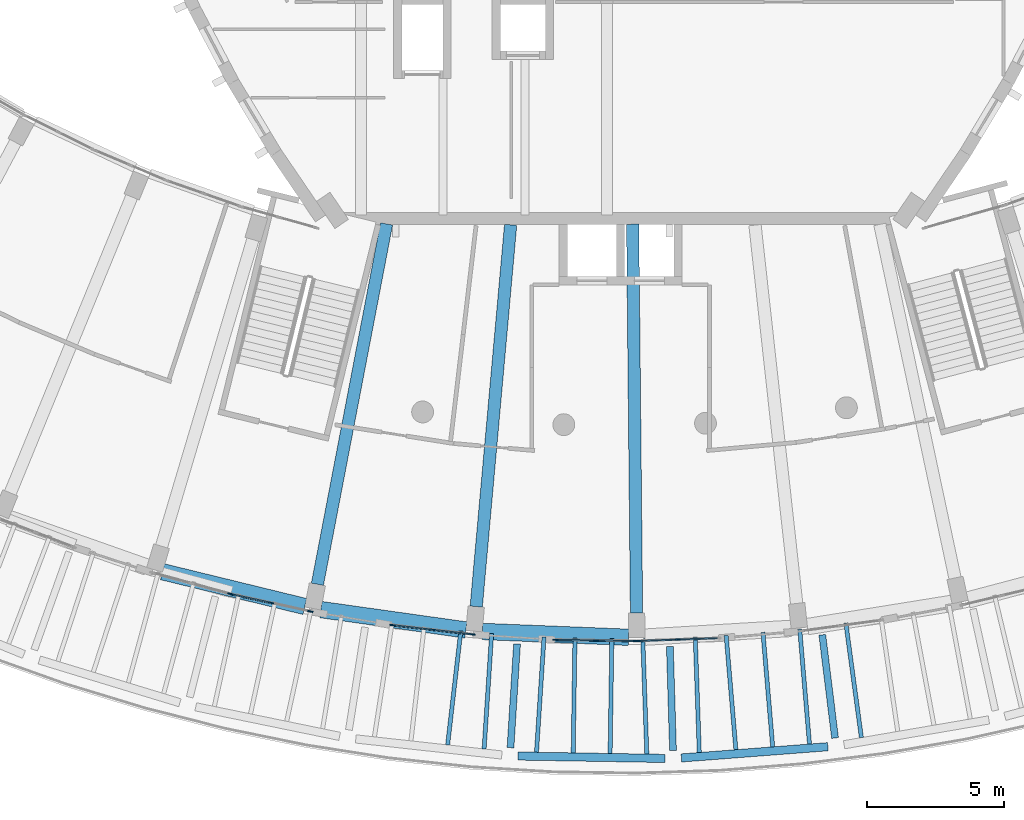
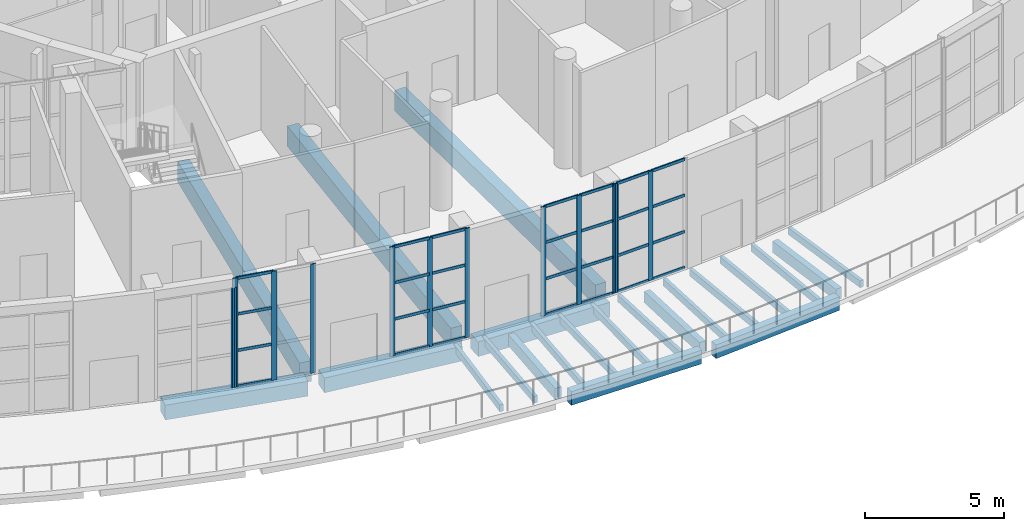
# One storey, part 18 of 93: 40 members, 22 beams, 5 elements without a shape of their own.
"""IFC4 building model written with IfcOpenShell, lengths in metres."""

import ifcopenshell
import ifcopenshell.guid

model = None  # the IFC model being written
_history = None  # IfcOwnerHistory: only IFC2X3 demands one
_inside = {}  # id of a spatial element -> (the spatial element, [elements in it])
_under = {}  # id of a project, library or spatial element -> (it, [spatial elements below it])
_declared = {}  # id of a project -> (the project, [libraries it declares])
_typed = {}  # id of a type object -> (the type object, [elements of that type])
_made_of = {}  # id of a material, layer set ... -> (it, [elements and type objects made of it])


def new_model(schema):
    """Start an empty IFC model of exactly this schema.

    Asked for "IFC4X3", IfcOpenShell would pick the latest addendum, in which some entities
    have other attributes; the version numbers below select the first issue.
    IFC2X3 requires an IfcOwnerHistory on every rooted entity: one is made here for all.
    """
    global model, _history
    if schema == "IFC4X3":
        model = ifcopenshell.file(schema_version=(4, 3, 0, 0))
    else:
        model = ifcopenshell.file(schema=schema)
    _inside.clear()
    _under.clear()
    _declared.clear()
    _typed.clear()
    _made_of.clear()
    _history = None
    if model.schema == "IFC2X3":
        org = make("IfcOrganization", Name="unknown")
        user = make(
            "IfcPersonAndOrganization",
            ThePerson=make("IfcPerson", FamilyName="unknown"),
            TheOrganization=org,
        )
        app = make(
            "IfcApplication",
            ApplicationDeveloper=org,
            Version="unknown",
            ApplicationFullName="unknown",
            ApplicationIdentifier="unknown",
        )
        _history = make(
            "IfcOwnerHistory",
            OwningUser=user,
            OwningApplication=app,
            ChangeAction="ADDED",
            CreationDate=0,
        )
    return model


def make(cls, **values):
    """One entity of the class cls with the attributes given. An attribute that is None is left unset."""
    return model.create_entity(
        cls, **{name: value for name, value in values.items() if value is not None}
    )


def rooted(cls, **values):
    """An entity with a GlobalId (a new one), such as an element, a storey or a relation."""
    return make(cls, GlobalId=ifcopenshell.guid.new(), OwnerHistory=_history, **values)


def si_unit(unit_type, name, prefix=None):
    """IfcSIUnit, for example si_unit("LENGTHUNIT", "METRE", prefix="MILLI")."""
    return make("IfcSIUnit", UnitType=unit_type, Prefix=prefix, Name=name)


def assignment(units):
    """IfcUnitAssignment: the units of a project."""
    return None if units is None else make("IfcUnitAssignment", Units=units)


def point(xyz):
    """IfcCartesianPoint."""
    return None if xyz is None else make("IfcCartesianPoint", Coordinates=xyz)


def direction(xyz):
    """IfcDirection."""
    return None if xyz is None else make("IfcDirection", DirectionRatios=xyz)


def frame(location, z_axis=None, x_axis=None):
    """IfcAxis2Placement3D, a coordinate frame: its origin and axes. An axis left out is left unset."""
    return make(
        "IfcAxis2Placement3D",
        Location=point(location),
        Axis=direction(z_axis),
        RefDirection=direction(x_axis),
    )


def frame_2d(location, x_axis=None):
    """IfcAxis2Placement2D, a coordinate frame in the plane: its origin and x axis."""
    return make(
        "IfcAxis2Placement2D", Location=point(location), RefDirection=direction(x_axis)
    )


def origin():
    """The frame at (0, 0, 0) with its axes left unset."""
    return frame((0.0, 0.0, 0.0))


def origin_2d():
    """The frame at (0, 0) in the plane with its x axis left unset."""
    return frame_2d((0.0, 0.0))


def place(relative_to, where):
    """IfcLocalPlacement: puts the frame where relative to a parent placement (None: the world)."""
    return make(
        "IfcLocalPlacement", PlacementRelTo=relative_to, RelativePlacement=where
    )


def context(
    kind, dimensions, precision=None, world=None, true_north=None, identifier=None
):
    """IfcGeometricRepresentationContext, for example the 3D "Model" context."""
    return make(
        "IfcGeometricRepresentationContext",
        ContextIdentifier=identifier,
        ContextType=kind,
        CoordinateSpaceDimension=dimensions,
        Precision=precision,
        WorldCoordinateSystem=world,
        TrueNorth=true_north,
    )


def subcontext(parent, identifier, kind, view, scale=None):
    """IfcGeometricRepresentationSubContext, for example "Body" below "Model"."""
    return make(
        "IfcGeometricRepresentationSubContext",
        ContextIdentifier=identifier,
        ContextType=kind,
        ParentContext=parent,
        TargetScale=scale,
        TargetView=view,
    )


def project(units=None, contexts=None):
    """IfcProject with its units and contexts."""
    return rooted(
        "IfcProject",
        Name="project",
        RepresentationContexts=contexts,
        UnitsInContext=assignment(units),
    )


def spatial(cls, under=None, at=None, **own):
    """A site, building, storey or space (cls), placed at a placement, below another one or the project."""
    s = rooted(cls, ObjectPlacement=at, **own)
    if under is not None:
        _under.setdefault(under.id(), (under, []))[1].append(s)
    return s


def profile(cls, at=None, kind="AREA", **sizes):
    """A parametric profile (cls). Its sizes go by their IFC names, for example OverallWidth=200.0."""
    return make(cls, ProfileType=kind, Position=at, **sizes)


def rectangle(**sizes):
    """IfcRectangleProfileDef."""
    return profile("IfcRectangleProfileDef", **sizes)


def extrude(swept, where, along, depth):
    """IfcExtrudedAreaSolid: the profile swept, set in the frame where, extruded along a direction by depth."""
    return make(
        "IfcExtrudedAreaSolid",
        SweptArea=swept,
        Position=where,
        ExtrudedDirection=direction(along),
        Depth=depth,
    )


def shape(context_of_items, identifier, shape_type, items):
    """IfcShapeRepresentation: the items that make up one representation, for example the "Body"."""
    return make(
        "IfcShapeRepresentation",
        ContextOfItems=context_of_items,
        RepresentationIdentifier=identifier,
        RepresentationType=shape_type,
        Items=items,
    )


def material(Name=None, Category=None):
    """IfcMaterial."""
    return make("IfcMaterial", Name=Name, Category=Category)


def material_profile(
    of_material, cross_section, Name=None, Category=None, Priority=None
):
    """IfcMaterialProfile: a cross section and its material."""
    return make(
        "IfcMaterialProfile",
        Name=Name,
        Material=of_material,
        Profile=cross_section,
        Priority=Priority,
        Category=Category,
    )


def profile_set(profiles, Name=None, composite=None):
    """IfcMaterialProfileSet."""
    return make(
        "IfcMaterialProfileSet",
        Name=Name,
        MaterialProfiles=profiles,
        CompositeProfile=composite,
    )


def made_of(thing, what):
    """Note that an element or type object is made of a material, layer set ...; save() writes the relation."""
    if what is not None:
        _made_of.setdefault(what.id(), (what, []))[1].append(thing)
    return thing


def type_object(cls, material=None, **own):
    """A type object (cls), such as IfcWallType, which elements share."""
    return made_of(rooted(cls, **own), material)


def element(
    cls,
    number,
    at=None,
    inside=None,
    cuts=None,
    type_object=None,
    material=None,
    context=None,
    identifier="Body",
    shape_type=None,
    held_by="IfcProductDefinitionShape",
    body=None,
    shapes=None,
    **own,
):
    """One element of the class cls, such as IfcWall. Its Tag is "e" and its number.

    at: its placement. inside: the storey or other place that contains it. cuts: it is an
    opening in that element (IfcRelVoidsElement). A single representation is given by context,
    identifier, shape_type and body (its items); several are given by shapes. held_by: the class
    of the entity that holds the representations. save() writes the other relations.
    """
    e = rooted(cls, Tag="e%d" % number, ObjectPlacement=at, **own)
    if body is not None:
        shapes = [shape(context, identifier, shape_type, body)]
    if shapes is not None:
        e.Representation = make(held_by, Representations=shapes)
    if inside is not None:
        _inside.setdefault(inside.id(), (inside, []))[1].append(e)
    if cuts is not None:
        rooted(
            "IfcRelVoidsElement", RelatingBuildingElement=cuts, RelatedOpeningElement=e
        )
    if type_object is not None:
        _typed.setdefault(type_object.id(), (type_object, []))[1].append(e)
    return made_of(e, material)


def aggregate(whole, parts):
    """IfcRelAggregates: a whole, such as a stair, and the parts it consists of."""
    return rooted("IfcRelAggregates", RelatingObject=whole, RelatedObjects=parts)


def save(model, path):
    """Write the relations noted so far, then the file.

    IfcRelAggregates (storeys below a building ...), IfcRelContainedInSpatialStructure (elements
    in a storey), IfcRelDefinesByType, IfcRelAssociatesMaterial and IfcRelDeclares: one each for
    every whole, place, type object, material and project.
    """
    for whole, parts in _under.values():
        aggregate(whole, parts)
    for where, things in _inside.values():
        rooted(
            "IfcRelContainedInSpatialStructure",
            RelatedElements=things,
            RelatingStructure=where,
        )
    for kind, things in _typed.values():
        rooted("IfcRelDefinesByType", RelatedObjects=things, RelatingType=kind)
    for what, things in _made_of.values():
        rooted("IfcRelAssociatesMaterial", RelatedObjects=things, RelatingMaterial=what)
    for by, libraries in _declared.values():
        rooted("IfcRelDeclares", RelatingContext=by, RelatedDefinitions=libraries)
    model.write(path)


model = new_model("IFC4")

# Units and contexts
model_context = context("Model", 3, precision=1e-05, world=origin(), true_north=direction((0.0, 1.0)))
body_context = subcontext(model_context, "Body", "Model", "MODEL_VIEW")
ifc_project = project(units=[si_unit("LENGTHUNIT", "METRE"), si_unit("AREAUNIT", "SQUARE_METRE"), si_unit("VOLUMEUNIT", "CUBIC_METRE"), si_unit("PLANEANGLEUNIT", "RADIAN"), si_unit("MASSUNIT", "GRAM", prefix="KILO")], contexts=[model_context])

# Site, building, storey
site_placement = place(None, origin())
site = spatial("IfcSite", under=ifc_project, at=site_placement, CompositionType="ELEMENT")
building_placement = place(site_placement, origin())
building = spatial("IfcBuilding", under=site, at=building_placement, Name="Tide Square Theatres", CompositionType="ELEMENT")
storey_placement = place(building_placement, frame((0.0, 0.0, 5.39990234375)))
storey = spatial("IfcBuildingStorey", under=building, at=storey_placement, Name="L01", CompositionType="ELEMENT", Elevation=5.39990234375)

# Curtain wall, member
ifc_material_1 = material(Name="Aluminium 6063-T5", Category="aluminium")
curtain_wall_type_1 = type_object("IfcCurtainWallType", Name="Unitised system curtain wall 4600 high", PredefinedType="USERDEFINED", material=ifc_material_1)
curtain_wall_1_placement = place(storey_placement, origin())
curtain_wall_1 = element("IfcCurtainWall", 1, at=curtain_wall_1_placement, inside=storey, type_object=curtain_wall_type_1, Name="Foyer outer curtain wall", ObjectType="UNITISED SYSTEM", PredefinedType="USERDEFINED")
ifc_material_2 = material(Name="Aluminium 6063-T5", Category="aluminium")
ifc_material_profile_1 = material_profile(ifc_material_2, rectangle(XDim=0.050048828125, YDim=0.199951171875, at=origin_2d()))
ifc_profile_set_1 = profile_set([ifc_material_profile_1], Name="Aluminium 6063-T5")
member_type_1 = type_object("IfcMemberType", Name="Aluminium mullion 50 x 200", PredefinedType="MULLION", material=ifc_profile_set_1)
member_1_placement = place(storey_placement, frame((69.724365234375, 9.8525390625, 0.0), z_axis=(0.0, 0.0, 1.0), x_axis=(0.262213530715, 0.96500987783, 0.0)))
member_1 = element("IfcMember", 2, at=member_1_placement, type_object=member_type_1, Name="CW-03 mullion 3", PredefinedType="MULLION", context=body_context, shape_type="SweptSolid", body=[
    extrude(rectangle(XDim=0.050048828125, YDim=0.199951171875, at=origin_2d()), origin(), (0.0, 0.0, 1.0), 4.400146484375),
])
aggregate(curtain_wall_1, [member_1])

# Curtain wall, members
ifc_material_3 = material(Name="Aluminium 6063-T5", Category="aluminium")
curtain_wall_type_2 = type_object("IfcCurtainWallType", Name="Unitised system curtain wall 4800 high", PredefinedType="USERDEFINED", material=ifc_material_3)
curtain_wall_2_placement = place(storey_placement, origin())
curtain_wall_2 = element("IfcCurtainWall", 3, at=curtain_wall_2_placement, inside=storey, type_object=curtain_wall_type_2, Name="Foyer outer curtain wall", ObjectType="UNITISED SYSTEM", PredefinedType="USERDEFINED")
member_2_placement = place(storey_placement, frame((69.77294921875, 9.840576171875, 0.0), z_axis=(0.0, 0.0, 1.0), x_axis=(0.213653079584, 0.976909597447, 0.0)))
member_2 = element("IfcMember", 4, at=member_2_placement, type_object=member_type_1, Name="CW-02 mullion 1", PredefinedType="MULLION", context=body_context, shape_type="SweptSolid", body=[
    extrude(rectangle(XDim=0.050048828125, YDim=0.199951171875, at=origin_2d()), origin(), (0.0, 0.0, 1.0), 4.800048828125),
])
member_3_placement = place(storey_placement, frame((71.2119140625, 9.52587890625, 0.0), z_axis=(0.0, 0.0, 1.0), x_axis=(0.213653079584, 0.976909597447, 0.0)))
member_3 = element("IfcMember", 5, at=member_3_placement, type_object=member_type_1, Name="CW-02 mullion 2", PredefinedType="MULLION", context=body_context, shape_type="SweptSolid", body=[
    extrude(rectangle(XDim=0.050048828125, YDim=0.199951171875, at=origin_2d()), origin(), (0.0, 0.0, 1.0), 4.800048828125),
])
member_4_placement = place(storey_placement, frame((72.65087890625, 9.211181640625, 0.0), z_axis=(0.0, 0.0, 1.0), x_axis=(0.213653079584, 0.976909597447, 0.0)))
member_4 = element("IfcMember", 6, at=member_4_placement, type_object=member_type_1, Name="CW-02 mullion 3", PredefinedType="MULLION", context=body_context, shape_type="SweptSolid", body=[
    extrude(rectangle(XDim=0.050048828125, YDim=0.199951171875, at=origin_2d()), origin(), (0.0, 0.0, 1.0), 4.800048828125),
])

curtain_wall_3_placement = place(storey_placement, origin())
curtain_wall_3 = element("IfcCurtainWall", 7, at=curtain_wall_3_placement, inside=storey, type_object=curtain_wall_type_2, Name="Foyer outer curtain wall", ObjectType="UNITISED SYSTEM", PredefinedType="USERDEFINED")
member_5_placement = place(storey_placement, frame((75.6552734375, 8.7099609375, 0.0), z_axis=(0.0, 0.0, 1.0), x_axis=(0.114954765797, 0.993370727282, 0.0)))
member_5 = element("IfcMember", 8, at=member_5_placement, type_object=member_type_1, Name="CW-02 mullion 1", PredefinedType="MULLION", context=body_context, shape_type="SweptSolid", body=[
    extrude(rectangle(XDim=0.050048828125, YDim=0.199951171875, at=origin_2d()), origin(), (0.0, 0.0, 1.0), 4.800048828125),
])
member_6_placement = place(storey_placement, frame((77.118408203125, 8.540771484375, 0.0), z_axis=(0.0, 0.0, 1.0), x_axis=(0.114954765797, 0.993370727282, 0.0)))
member_6 = element("IfcMember", 9, at=member_6_placement, type_object=member_type_1, Name="CW-02 mullion 2", PredefinedType="MULLION", context=body_context, shape_type="SweptSolid", body=[
    extrude(rectangle(XDim=0.050048828125, YDim=0.199951171875, at=origin_2d()), origin(), (0.0, 0.0, 1.0), 4.800048828125),
])
member_7_placement = place(storey_placement, frame((78.581787109375, 8.371337890625, 0.0), z_axis=(0.0, 0.0, 1.0), x_axis=(0.114954765797, 0.993370727282, 0.0)))
member_7 = element("IfcMember", 10, at=member_7_placement, type_object=member_type_1, Name="CW-02 mullion 3", PredefinedType="MULLION", context=body_context, shape_type="SweptSolid", body=[
    extrude(rectangle(XDim=0.050048828125, YDim=0.199951171875, at=origin_2d()), origin(), (0.0, 0.0, 1.0), 4.800048828125),
])

curtain_wall_4_placement = place(storey_placement, origin())
curtain_wall_4 = element("IfcCurtainWall", 11, at=curtain_wall_4_placement, inside=storey, type_object=curtain_wall_type_2, Name="Foyer outer curtain wall", ObjectType="UNITISED SYSTEM", PredefinedType="USERDEFINED")
member_8_placement = place(storey_placement, frame((81.62109375, 8.1728515625, 0.0), z_axis=(0.0, 0.0, 1.0), x_axis=(0.015120450414, 0.999885679455, 0.0)))
member_8 = element("IfcMember", 12, at=member_8_placement, type_object=member_type_1, Name="CW-02 mullion 1", PredefinedType="MULLION", context=body_context, shape_type="SweptSolid", body=[
    extrude(rectangle(XDim=0.050048828125, YDim=0.199951171875, at=origin_2d()), origin(), (0.0, 0.0, 1.0), 4.800048828125),
])
member_9_placement = place(storey_placement, frame((83.093994140625, 8.150634765625, 0.0), z_axis=(0.0, 0.0, 1.0), x_axis=(0.015120450414, 0.999885679455, 0.0)))
member_9 = element("IfcMember", 13, at=member_9_placement, type_object=member_type_1, Name="CW-02 mullion 2", PredefinedType="MULLION", context=body_context, shape_type="SweptSolid", body=[
    extrude(rectangle(XDim=0.050048828125, YDim=0.199951171875, at=origin_2d()), origin(), (0.0, 0.0, 1.0), 4.800048828125),
])
member_10_placement = place(storey_placement, frame((84.56689453125, 8.12841796875, 0.0), z_axis=(0.0, 0.0, 1.0), x_axis=(0.015120450414, 0.999885679455, 0.0)))
member_10 = element("IfcMember", 14, at=member_10_placement, type_object=member_type_1, Name="CW-02 mullion 3", PredefinedType="MULLION", context=body_context, shape_type="SweptSolid", body=[
    extrude(rectangle(XDim=0.050048828125, YDim=0.199951171875, at=origin_2d()), origin(), (0.0, 0.0, 1.0), 4.800048828125),
])

curtain_wall_5_placement = place(storey_placement, origin())
curtain_wall_5 = element("IfcCurtainWall", 15, at=curtain_wall_5_placement, inside=storey, type_object=curtain_wall_type_2, Name="Foyer outer curtain wall", ObjectType="UNITISED SYSTEM", PredefinedType="USERDEFINED")
member_11_placement = place(storey_placement, frame((84.61669921875, 8.12890625, 0.0), z_axis=(0.0, 0.0, 1.0), x_axis=(-0.034879571875, 0.999391522611, 0.0)))
member_11 = element("IfcMember", 16, at=member_11_placement, type_object=member_type_1, Name="CW-02 mullion 1", PredefinedType="MULLION", context=body_context, shape_type="SweptSolid", body=[
    extrude(rectangle(XDim=0.050048828125, YDim=0.199951171875, at=origin_2d()), origin(), (0.0, 0.0, 1.0), 4.800048828125),
])
member_12_placement = place(storey_placement, frame((86.0888671875, 8.18017578125, 0.0), z_axis=(0.0, 0.0, 1.0), x_axis=(-0.034879571875, 0.999391522611, 0.0)))
member_12 = element("IfcMember", 17, at=member_12_placement, type_object=member_type_1, Name="CW-02 mullion 2", PredefinedType="MULLION", context=body_context, shape_type="SweptSolid", body=[
    extrude(rectangle(XDim=0.050048828125, YDim=0.199951171875, at=origin_2d()), origin(), (0.0, 0.0, 1.0), 4.800048828125),
])

# Member
ifc_material_4 = material(Name="Aluminium 6063-T5", Category="aluminium")
ifc_material_profile_2 = material_profile(ifc_material_4, rectangle(XDim=0.050048828125, YDim=0.125, at=origin_2d()))
ifc_profile_set_2 = profile_set([ifc_material_profile_2], Name="Aluminium 6063-T5")
member_type_2 = type_object("IfcMemberType", Name="Aluminium transom 50 x 125", PredefinedType="USERDEFINED", material=ifc_profile_set_2)
member_13_placement = place(storey_placement, frame((69.79736328125, 9.835205078125, 0.025146484375), z_axis=(0.97692016015, -0.21360477685, 0.0), x_axis=(0.21360477685, 0.97692016015, 0.0)))
member_13 = element("IfcMember", 18, at=member_13_placement, type_object=member_type_2, Name="CW-02 transom 1.1", ObjectType="TRANSOM", PredefinedType="USERDEFINED", context=body_context, shape_type="SweptSolid", body=[
    extrude(rectangle(XDim=0.050048828125, YDim=0.125, at=origin_2d()), origin(), (0.0, 0.0, 1.0), 1.423095703125),
])

member_14_placement = place(storey_placement, frame((69.79736328125, 9.835205078125, 1.60009765625), z_axis=(0.97692016015, -0.21360477685, 0.0), x_axis=(0.21360477685, 0.97692016015, 0.0)))
member_14 = element("IfcMember", 19, at=member_14_placement, type_object=member_type_2, Name="CW-02 transom 1.2", ObjectType="TRANSOM", PredefinedType="USERDEFINED", context=body_context, shape_type="SweptSolid", body=[
    extrude(rectangle(XDim=0.050048828125, YDim=0.125, at=origin_2d()), origin(), (0.0, 0.0, 1.0), 1.423095703125),
])

member_15_placement = place(storey_placement, frame((69.79736328125, 9.835205078125, 3.2001953125), z_axis=(0.97692016015, -0.21360477685, 0.0), x_axis=(0.21360477685, 0.97692016015, 0.0)))
member_15 = element("IfcMember", 20, at=member_15_placement, type_object=member_type_2, Name="CW-02 transom 1.3", ObjectType="TRANSOM", PredefinedType="USERDEFINED", context=body_context, shape_type="SweptSolid", body=[
    extrude(rectangle(XDim=0.050048828125, YDim=0.125, at=origin_2d()), origin(), (0.0, 0.0, 1.0), 1.423095703125),
])

member_16_placement = place(storey_placement, frame((69.79736328125, 9.835205078125, 4.775146484375), z_axis=(0.97692016015, -0.21360477685, 0.0), x_axis=(0.21360477685, 0.97692016015, 0.0)))
member_16 = element("IfcMember", 21, at=member_16_placement, type_object=member_type_2, Name="CW-02 transom 1.4", ObjectType="TRANSOM", PredefinedType="USERDEFINED", context=body_context, shape_type="SweptSolid", body=[
    extrude(rectangle(XDim=0.050048828125, YDim=0.125, at=origin_2d()), origin(), (0.0, 0.0, 1.0), 1.423095703125),
])

aggregate(curtain_wall_2, [member_2, member_3, member_4, member_13, member_14, member_15, member_16])

member_17_placement = place(storey_placement, frame((75.68017578125, 8.70703125, 0.025146484375), z_axis=(0.993369045591, -0.114969297037, 0.0), x_axis=(0.114969297037, 0.993369045591, 0.0)))
member_17 = element("IfcMember", 22, at=member_17_placement, type_object=member_type_2, Name="CW-02 transom 1.1", ObjectType="TRANSOM", PredefinedType="USERDEFINED", context=body_context, shape_type="SweptSolid", body=[
    extrude(rectangle(XDim=0.050048828125, YDim=0.125, at=origin_2d()), origin(), (0.0, 0.0, 1.0), 1.4228515625),
])

member_18_placement = place(storey_placement, frame((75.68017578125, 8.70703125, 1.60009765625), z_axis=(0.993369045591, -0.114969297037, 0.0), x_axis=(0.114969297037, 0.993369045591, 0.0)))
member_18 = element("IfcMember", 23, at=member_18_placement, type_object=member_type_2, Name="CW-02 transom 1.2", ObjectType="TRANSOM", PredefinedType="USERDEFINED", context=body_context, shape_type="SweptSolid", body=[
    extrude(rectangle(XDim=0.050048828125, YDim=0.125, at=origin_2d()), origin(), (0.0, 0.0, 1.0), 1.4228515625),
])

member_19_placement = place(storey_placement, frame((75.68017578125, 8.70703125, 3.2001953125), z_axis=(0.993369045591, -0.114969297037, 0.0), x_axis=(0.114969297037, 0.993369045591, 0.0)))
member_19 = element("IfcMember", 24, at=member_19_placement, type_object=member_type_2, Name="CW-02 transom 1.3", ObjectType="TRANSOM", PredefinedType="USERDEFINED", context=body_context, shape_type="SweptSolid", body=[
    extrude(rectangle(XDim=0.050048828125, YDim=0.125, at=origin_2d()), origin(), (0.0, 0.0, 1.0), 1.4228515625),
])

member_20_placement = place(storey_placement, frame((75.68017578125, 8.70703125, 4.775146484375), z_axis=(0.993369045591, -0.114969297037, 0.0), x_axis=(0.114969297037, 0.993369045591, 0.0)))
member_20 = element("IfcMember", 25, at=member_20_placement, type_object=member_type_2, Name="CW-02 transom 1.4", ObjectType="TRANSOM", PredefinedType="USERDEFINED", context=body_context, shape_type="SweptSolid", body=[
    extrude(rectangle(XDim=0.050048828125, YDim=0.125, at=origin_2d()), origin(), (0.0, 0.0, 1.0), 1.4228515625),
])

member_21_placement = place(storey_placement, frame((77.143310546875, 8.537841796875, 0.025146484375), z_axis=(0.993371313156, -0.114949702904, 0.0), x_axis=(0.114949702904, 0.993371313156, 0.0)))
member_21 = element("IfcMember", 26, at=member_21_placement, type_object=member_type_2, Name="CW-02 transom 2.1", ObjectType="TRANSOM", PredefinedType="USERDEFINED", context=body_context, shape_type="SweptSolid", body=[
    extrude(rectangle(XDim=0.050048828125, YDim=0.125, at=origin_2d()), origin(), (0.0, 0.0, 1.0), 1.423095703125),
])

member_22_placement = place(storey_placement, frame((77.143310546875, 8.537841796875, 1.60009765625), z_axis=(0.993371313156, -0.114949702904, 0.0), x_axis=(0.114949702904, 0.993371313156, 0.0)))
member_22 = element("IfcMember", 27, at=member_22_placement, type_object=member_type_2, Name="CW-02 transom 2.2", ObjectType="TRANSOM", PredefinedType="USERDEFINED", context=body_context, shape_type="SweptSolid", body=[
    extrude(rectangle(XDim=0.050048828125, YDim=0.125, at=origin_2d()), origin(), (0.0, 0.0, 1.0), 1.423095703125),
])

member_23_placement = place(storey_placement, frame((77.143310546875, 8.537841796875, 3.2001953125), z_axis=(0.993371313156, -0.114949702904, 0.0), x_axis=(0.114949702904, 0.993371313156, 0.0)))
member_23 = element("IfcMember", 28, at=member_23_placement, type_object=member_type_2, Name="CW-02 transom 2.3", ObjectType="TRANSOM", PredefinedType="USERDEFINED", context=body_context, shape_type="SweptSolid", body=[
    extrude(rectangle(XDim=0.050048828125, YDim=0.125, at=origin_2d()), origin(), (0.0, 0.0, 1.0), 1.423095703125),
])

member_24_placement = place(storey_placement, frame((77.143310546875, 8.537841796875, 4.775146484375), z_axis=(0.993371313156, -0.114949702904, 0.0), x_axis=(0.114949702904, 0.993371313156, 0.0)))
member_24 = element("IfcMember", 29, at=member_24_placement, type_object=member_type_2, Name="CW-02 transom 2.4", ObjectType="TRANSOM", PredefinedType="USERDEFINED", context=body_context, shape_type="SweptSolid", body=[
    extrude(rectangle(XDim=0.050048828125, YDim=0.125, at=origin_2d()), origin(), (0.0, 0.0, 1.0), 1.423095703125),
])

aggregate(curtain_wall_3, [member_5, member_6, member_7, member_17, member_18, member_19, member_20, member_21, member_22, member_23, member_24])

member_25_placement = place(storey_placement, frame((81.646240234375, 8.172607421875, 0.025146484375), z_axis=(0.999886021744, -0.015097798544, 0.0), x_axis=(0.015097798544, 0.999886021744, 0.0)))
member_25 = element("IfcMember", 30, at=member_25_placement, type_object=member_type_2, Name="CW-02 transom 1.1", ObjectType="TRANSOM", PredefinedType="USERDEFINED", context=body_context, shape_type="SweptSolid", body=[
    extrude(rectangle(XDim=0.050048828125, YDim=0.125, at=origin_2d()), origin(), (0.0, 0.0, 1.0), 1.423095703125),
])

member_26_placement = place(storey_placement, frame((81.646240234375, 8.172607421875, 1.60009765625), z_axis=(0.999886021744, -0.015097798544, 0.0), x_axis=(0.015097798544, 0.999886021744, 0.0)))
member_26 = element("IfcMember", 31, at=member_26_placement, type_object=member_type_2, Name="CW-02 transom 1.2", ObjectType="TRANSOM", PredefinedType="USERDEFINED", context=body_context, shape_type="SweptSolid", body=[
    extrude(rectangle(XDim=0.050048828125, YDim=0.125, at=origin_2d()), origin(), (0.0, 0.0, 1.0), 1.423095703125),
])

member_27_placement = place(storey_placement, frame((81.646240234375, 8.172607421875, 3.2001953125), z_axis=(0.999886021744, -0.015097798544, 0.0), x_axis=(0.015097798544, 0.999886021744, 0.0)))
member_27 = element("IfcMember", 32, at=member_27_placement, type_object=member_type_2, Name="CW-02 transom 1.3", ObjectType="TRANSOM", PredefinedType="USERDEFINED", context=body_context, shape_type="SweptSolid", body=[
    extrude(rectangle(XDim=0.050048828125, YDim=0.125, at=origin_2d()), origin(), (0.0, 0.0, 1.0), 1.423095703125),
])

member_28_placement = place(storey_placement, frame((81.646240234375, 8.172607421875, 4.775146484375), z_axis=(0.999886021744, -0.015097798544, 0.0), x_axis=(0.015097798544, 0.999886021744, 0.0)))
member_28 = element("IfcMember", 33, at=member_28_placement, type_object=member_type_2, Name="CW-02 transom 1.4", ObjectType="TRANSOM", PredefinedType="USERDEFINED", context=body_context, shape_type="SweptSolid", body=[
    extrude(rectangle(XDim=0.050048828125, YDim=0.125, at=origin_2d()), origin(), (0.0, 0.0, 1.0), 1.423095703125),
])

member_29_placement = place(storey_placement, frame((83.118896484375, 8.150390625, 0.025146484375), z_axis=(0.999883417066, -0.01526932466, 0.0), x_axis=(0.01526932466, 0.999883417066, 0.0)))
member_29 = element("IfcMember", 34, at=member_29_placement, type_object=member_type_2, Name="CW-02 transom 2.1", ObjectType="TRANSOM", PredefinedType="USERDEFINED", context=body_context, shape_type="SweptSolid", body=[
    extrude(rectangle(XDim=0.050048828125, YDim=0.125, at=origin_2d()), origin(), (0.0, 0.0, 1.0), 1.423095703125),
])

member_30_placement = place(storey_placement, frame((83.118896484375, 8.150390625, 1.60009765625), z_axis=(0.999883417066, -0.01526932466, 0.0), x_axis=(0.01526932466, 0.999883417066, 0.0)))
member_30 = element("IfcMember", 35, at=member_30_placement, type_object=member_type_2, Name="CW-02 transom 2.2", ObjectType="TRANSOM", PredefinedType="USERDEFINED", context=body_context, shape_type="SweptSolid", body=[
    extrude(rectangle(XDim=0.050048828125, YDim=0.125, at=origin_2d()), origin(), (0.0, 0.0, 1.0), 1.423095703125),
])

member_31_placement = place(storey_placement, frame((83.118896484375, 8.150390625, 3.2001953125), z_axis=(0.999883417066, -0.01526932466, 0.0), x_axis=(0.01526932466, 0.999883417066, 0.0)))
member_31 = element("IfcMember", 36, at=member_31_placement, type_object=member_type_2, Name="CW-02 transom 2.3", ObjectType="TRANSOM", PredefinedType="USERDEFINED", context=body_context, shape_type="SweptSolid", body=[
    extrude(rectangle(XDim=0.050048828125, YDim=0.125, at=origin_2d()), origin(), (0.0, 0.0, 1.0), 1.423095703125),
])

member_32_placement = place(storey_placement, frame((83.118896484375, 8.150390625, 4.775146484375), z_axis=(0.999883417066, -0.01526932466, 0.0), x_axis=(0.01526932466, 0.999883417066, 0.0)))
member_32 = element("IfcMember", 37, at=member_32_placement, type_object=member_type_2, Name="CW-02 transom 2.4", ObjectType="TRANSOM", PredefinedType="USERDEFINED", context=body_context, shape_type="SweptSolid", body=[
    extrude(rectangle(XDim=0.050048828125, YDim=0.125, at=origin_2d()), origin(), (0.0, 0.0, 1.0), 1.423095703125),
])

aggregate(curtain_wall_4, [member_8, member_9, member_10, member_25, member_26, member_27, member_28, member_29, member_30, member_31, member_32])

member_33_placement = place(storey_placement, frame((84.641845703125, 8.129638671875, 0.025146484375), z_axis=(0.999387312237, 0.035000002008, 0.0), x_axis=(-0.035000002008, 0.999387312237, 0.0)))
member_33 = element("IfcMember", 38, at=member_33_placement, type_object=member_type_2, Name="CW-02 transom 1.1", ObjectType="TRANSOM", PredefinedType="USERDEFINED", context=body_context, shape_type="SweptSolid", body=[
    extrude(rectangle(XDim=0.050048828125, YDim=0.125, at=origin_2d()), origin(), (0.0, 0.0, 1.0), 1.423095703125),
])

member_34_placement = place(storey_placement, frame((84.641845703125, 8.129638671875, 1.60009765625), z_axis=(0.999387312237, 0.035000002008, 0.0), x_axis=(-0.035000002008, 0.999387312237, 0.0)))
member_34 = element("IfcMember", 39, at=member_34_placement, type_object=member_type_2, Name="CW-02 transom 1.2", ObjectType="TRANSOM", PredefinedType="USERDEFINED", context=body_context, shape_type="SweptSolid", body=[
    extrude(rectangle(XDim=0.050048828125, YDim=0.125, at=origin_2d()), origin(), (0.0, 0.0, 1.0), 1.423095703125),
])

member_35_placement = place(storey_placement, frame((84.641845703125, 8.129638671875, 3.2001953125), z_axis=(0.999387312237, 0.035000002008, 0.0), x_axis=(-0.035000002008, 0.999387312237, 0.0)))
member_35 = element("IfcMember", 40, at=member_35_placement, type_object=member_type_2, Name="CW-02 transom 1.3", ObjectType="TRANSOM", PredefinedType="USERDEFINED", context=body_context, shape_type="SweptSolid", body=[
    extrude(rectangle(XDim=0.050048828125, YDim=0.125, at=origin_2d()), origin(), (0.0, 0.0, 1.0), 1.423095703125),
])

member_36_placement = place(storey_placement, frame((84.641845703125, 8.129638671875, 4.775146484375), z_axis=(0.999387312237, 0.035000002008, 0.0), x_axis=(-0.035000002008, 0.999387312237, 0.0)))
member_36 = element("IfcMember", 41, at=member_36_placement, type_object=member_type_2, Name="CW-02 transom 1.4", ObjectType="TRANSOM", PredefinedType="USERDEFINED", context=body_context, shape_type="SweptSolid", body=[
    extrude(rectangle(XDim=0.050048828125, YDim=0.125, at=origin_2d()), origin(), (0.0, 0.0, 1.0), 1.423095703125),
])

member_37_placement = place(storey_placement, frame((86.11376953125, 8.18115234375, 0.025146484375), z_axis=(0.999393506871, 0.034822671111, 0.0), x_axis=(-0.034822671111, 0.999393506871, 0.0)))
member_37 = element("IfcMember", 42, at=member_37_placement, type_object=member_type_2, Name="CW-02 transom 2.1", ObjectType="TRANSOM", PredefinedType="USERDEFINED", context=body_context, shape_type="SweptSolid", body=[
    extrude(rectangle(XDim=0.050048828125, YDim=0.125, at=origin_2d()), origin(), (0.0, 0.0, 1.0), 1.42333984375),
])

member_38_placement = place(storey_placement, frame((86.11376953125, 8.18115234375, 1.60009765625), z_axis=(0.999393506871, 0.034822671111, 0.0), x_axis=(-0.034822671111, 0.999393506871, 0.0)))
member_38 = element("IfcMember", 43, at=member_38_placement, type_object=member_type_2, Name="CW-02 transom 2.2", ObjectType="TRANSOM", PredefinedType="USERDEFINED", context=body_context, shape_type="SweptSolid", body=[
    extrude(rectangle(XDim=0.050048828125, YDim=0.125, at=origin_2d()), origin(), (0.0, 0.0, 1.0), 1.42333984375),
])

member_39_placement = place(storey_placement, frame((86.11376953125, 8.18115234375, 3.2001953125), z_axis=(0.999393506871, 0.034822671111, 0.0), x_axis=(-0.034822671111, 0.999393506871, 0.0)))
member_39 = element("IfcMember", 44, at=member_39_placement, type_object=member_type_2, Name="CW-02 transom 2.3", ObjectType="TRANSOM", PredefinedType="USERDEFINED", context=body_context, shape_type="SweptSolid", body=[
    extrude(rectangle(XDim=0.050048828125, YDim=0.125, at=origin_2d()), origin(), (0.0, 0.0, 1.0), 1.42333984375),
])

member_40_placement = place(storey_placement, frame((86.11376953125, 8.18115234375, 4.775146484375), z_axis=(0.999393506871, 0.034822671111, 0.0), x_axis=(-0.034822671111, 0.999393506871, 0.0)))
member_40 = element("IfcMember", 45, at=member_40_placement, type_object=member_type_2, Name="CW-02 transom 2.4", ObjectType="TRANSOM", PredefinedType="USERDEFINED", context=body_context, shape_type="SweptSolid", body=[
    extrude(rectangle(XDim=0.050048828125, YDim=0.125, at=origin_2d()), origin(), (0.0, 0.0, 1.0), 1.42333984375),
])

aggregate(curtain_wall_5, [member_11, member_12, member_33, member_34, member_35, member_36, member_37, member_38, member_39, member_40])

# Beams
ifc_material_5 = material(Name="Concrete C35", Category="concrete")
ifc_material_profile_3 = material_profile(ifc_material_5, rectangle(XDim=0.14990234375, YDim=0.300048828125, at=origin_2d()))
ifc_profile_set_3 = profile_set([ifc_material_profile_3], Name="Concrete C35")
beam_type_1 = type_object("IfcBeamType", Name="RC arcade roof rib 150 x 300", PredefinedType="JOIST", material=ifc_profile_set_3)
beam_1_placement = place(storey_placement, frame((77.67333984375, 4.32958984375, -0.349853515625), z_axis=(0.115017358508, 0.993363481935, 0.0), x_axis=(-0.993363481935, 0.115017358508, 0.0)))
element("IfcBeam", 46, at=beam_1_placement, inside=storey, type_object=beam_type_1, Name="Arcade roof rib", PredefinedType="JOIST", context=body_context, shape_type="SweptSolid", body=[
    extrude(rectangle(XDim=0.14990234375, YDim=0.300048828125, at=origin_2d()), origin(), (0.0, 0.0, 1.0), 4.1943359375),
])
beam_2_placement = place(storey_placement, frame((79.0078125, 4.1826171875, -0.349853515625), z_axis=(0.065169183111, 0.997874229336, 0.0), x_axis=(-0.997874229336, 0.065169183111, 0.0)))
element("IfcBeam", 47, at=beam_2_placement, inside=storey, type_object=beam_type_1, Name="Arcade roof rib", PredefinedType="JOIST", context=body_context, shape_type="SweptSolid", body=[
    extrude(rectangle(XDim=0.14990234375, YDim=0.300048828125, at=origin_2d()), origin(), (0.0, 0.0, 1.0), 4.225830078125),
])
beam_3_placement = place(storey_placement, frame((80.924072265625, 4.0615234375, -0.349853515625), z_axis=(0.065171770169, 0.997874060377, 0.0), x_axis=(-0.997874060377, 0.065171770169, 0.0)))
element("IfcBeam", 48, at=beam_3_placement, inside=storey, type_object=beam_type_1, Name="Arcade roof rib", PredefinedType="JOIST", context=body_context, shape_type="SweptSolid", body=[
    extrude(rectangle(XDim=0.14990234375, YDim=0.300048828125, at=origin_2d()), origin(), (0.0, 0.0, 1.0), 4.221923828125),
])
beam_4_placement = place(storey_placement, frame((82.266357421875, 4.039306640625, -0.349853515625), z_axis=(0.01517708278, 0.999884821446, 0.0), x_axis=(-0.999884821446, 0.01517708278, 0.0)))
element("IfcBeam", 49, at=beam_4_placement, inside=storey, type_object=beam_type_1, Name="Arcade roof rib", PredefinedType="JOIST", context=body_context, shape_type="SweptSolid", body=[
    extrude(rectangle(XDim=0.14990234375, YDim=0.300048828125, at=origin_2d()), origin(), (0.0, 0.0, 1.0), 4.198486328125),
])
beam_5_placement = place(storey_placement, frame((83.6162109375, 4.01708984375, -0.349853515625), z_axis=(0.015112795416, 0.999885795186, 0.0), x_axis=(-0.999885795186, 0.015112795416, 0.0)))
element("IfcBeam", 50, at=beam_5_placement, inside=storey, type_object=beam_type_1, Name="Arcade roof rib", PredefinedType="JOIST", context=body_context, shape_type="SweptSolid", body=[
    extrude(rectangle(XDim=0.14990234375, YDim=0.300048828125, at=origin_2d()), origin(), (0.0, 0.0, 1.0), 4.2001953125),
])
beam_6_placement = place(storey_placement, frame((84.95849609375, 3.99462890625, -0.349853515625), z_axis=(-0.034896793423, 0.999390921416, 0.0), x_axis=(-0.999390921416, -0.034896793423, 0.0)))
element("IfcBeam", 51, at=beam_6_placement, inside=storey, type_object=beam_type_1, Name="Arcade roof rib", PredefinedType="JOIST", context=body_context, shape_type="SweptSolid", body=[
    extrude(rectangle(XDim=0.14990234375, YDim=0.300048828125, at=origin_2d()), origin(), (0.0, 0.0, 1.0), 4.21875),
])
beam_7_placement = place(storey_placement, frame((86.877685546875, 4.05224609375, -0.349853515625), z_axis=(-0.034877940374, 0.99939157955, 0.0), x_axis=(-0.99939157955, -0.034877940374, 0.0)))
element("IfcBeam", 52, at=beam_7_placement, inside=storey, type_object=beam_type_1, Name="Arcade roof rib", PredefinedType="JOIST", context=body_context, shape_type="SweptSolid", body=[
    extrude(rectangle(XDim=0.14990234375, YDim=0.300048828125, at=origin_2d()), origin(), (0.0, 0.0, 1.0), 4.22802734375),
])
beam_8_placement = place(storey_placement, frame((88.21630859375, 4.155029296875, -0.349853515625), z_axis=(-0.084867502733, 0.996392245544, 0.0), x_axis=(-0.996392245544, -0.084867502733, 0.0)))
element("IfcBeam", 53, at=beam_8_placement, inside=storey, type_object=beam_type_1, Name="Arcade roof rib", PredefinedType="JOIST", context=body_context, shape_type="SweptSolid", body=[
    extrude(rectangle(XDim=0.14990234375, YDim=0.300048828125, at=origin_2d()), origin(), (0.0, 0.0, 1.0), 4.19140625),
])
beam_9_placement = place(storey_placement, frame((89.562255859375, 4.25830078125, -0.349853515625), z_axis=(-0.084814555775, 0.996396753873, 0.0), x_axis=(-0.996396753873, -0.084814555775, 0.0)))
element("IfcBeam", 54, at=beam_9_placement, inside=storey, type_object=beam_type_1, Name="Arcade roof rib", PredefinedType="JOIST", context=body_context, shape_type="SweptSolid", body=[
    extrude(rectangle(XDim=0.14990234375, YDim=0.300048828125, at=origin_2d()), origin(), (0.0, 0.0, 1.0), 4.20263671875),
])
beam_10_placement = place(storey_placement, frame((90.908447265625, 4.361328125, -0.349853515625), z_axis=(-0.084872031779, 0.996391859773, 0.0), x_axis=(-0.996391859773, -0.084872031779, 0.0)))
element("IfcBeam", 55, at=beam_10_placement, inside=storey, type_object=beam_type_1, Name="Arcade roof rib", PredefinedType="JOIST", context=body_context, shape_type="SweptSolid", body=[
    extrude(rectangle(XDim=0.14990234375, YDim=0.300048828125, at=origin_2d()), origin(), (0.0, 0.0, 1.0), 4.214111328125),
])
beam_11_placement = place(storey_placement, frame((92.806396484375, 4.59619140625, -0.349853515625), z_axis=(-0.134559578275, 0.990905505028, 0.0), x_axis=(-0.990905505028, -0.134559578275, 0.0)))
element("IfcBeam", 56, at=beam_11_placement, inside=storey, type_object=beam_type_1, Name="Arcade roof rib", PredefinedType="JOIST", context=body_context, shape_type="SweptSolid", body=[
    extrude(rectangle(XDim=0.14990234375, YDim=0.300048828125, at=origin_2d()), origin(), (0.0, 0.0, 1.0), 4.231201171875),
])
ifc_material_6 = material(Name="Concrete C35", Category="concrete")
ifc_material_profile_4 = material_profile(ifc_material_6, rectangle(XDim=0.25, YDim=0.5, at=origin_2d()))
ifc_profile_set_4 = profile_set([ifc_material_profile_4], Name="Concrete C35")
beam_type_2 = type_object("IfcBeamType", Name="RC beam 250 x 500", PredefinedType="BEAM", material=ifc_profile_set_4)
beam_12_placement = place(storey_placement, frame((79.972412109375, 4.22705078125, -0.449951171875), z_axis=(0.063026242085, 0.998011870074, 0.0), x_axis=(-0.998011870074, 0.063026242085, 0.0)))
element("IfcBeam", 57, at=beam_12_placement, inside=storey, type_object=beam_type_2, Name="Arcade slab beam", PredefinedType="BEAM", context=body_context, shape_type="SweptSolid", body=[
    extrude(rectangle(XDim=0.25, YDim=0.5, at=origin_2d()), origin(), (0.0, 0.0, 1.0), 3.800048828125),
])
beam_13_placement = place(storey_placement, frame((85.915771484375, 4.12890625, -0.449951171875), z_axis=(-0.030005125079, 0.99954974487, 0.0), x_axis=(-0.99954974487, -0.030005125079, 0.0)))
element("IfcBeam", 58, at=beam_13_placement, inside=storey, type_object=beam_type_2, Name="Arcade slab beam", PredefinedType="BEAM", context=body_context, shape_type="SweptSolid", body=[
    extrude(rectangle(XDim=0.25, YDim=0.5, at=origin_2d()), origin(), (0.0, 0.0, 1.0), 3.7998046875),
])
beam_14_placement = place(storey_placement, frame((91.842529296875, 4.5830078125, -0.449951171875), z_axis=(-0.122706252895, 0.992443033882, 0.0), x_axis=(-0.992443033882, -0.122706252895, 0.0)))
element("IfcBeam", 59, at=beam_14_placement, inside=storey, type_object=beam_type_2, Name="Arcade slab beam", PredefinedType="BEAM", context=body_context, shape_type="SweptSolid", body=[
    extrude(rectangle(XDim=0.25, YDim=0.5, at=origin_2d()), origin(), (0.0, 0.0, 1.0), 3.80029296875),
])
ifc_material_7 = material(Name="Concrete C35", Category="concrete")
ifc_material_profile_5 = material_profile(ifc_material_7, rectangle(XDim=0.300048828125, YDim=0.60009765625, at=origin_2d()))
ifc_profile_set_5 = profile_set([ifc_material_profile_5], Name="Concrete C35")
beam_type_3 = type_object("IfcBeamType", Name="RC beam 300 x 600", PredefinedType="BEAM", material=ifc_profile_set_5)
for number, where, z_axis, x_axis, name in (
    (60, (80.25341796875, 3.922607421875, -0.5), (0.999863915158, -0.016497004736, 0.0), (0.016497004736, 0.999863915158, 0.0), "Colonnade beam"),
    (61, (86.223876953125, 3.851806640625, -0.5), (0.997074234494, 0.076439328278, 0.0), (-0.076439328278, 0.997074234494, 0.0), "Colonnade beam"),
):
    element("IfcBeam", number, at=place(storey_placement, frame(where, z_axis=z_axis, x_axis=x_axis)), inside=storey, type_object=beam_type_3, Name=name, PredefinedType="BEAM", context=body_context, shape_type="SweptSolid", body=[
        extrude(rectangle(XDim=0.300048828125, YDim=0.60009765625, at=origin_2d()), origin(), (0.0, 0.0, 1.0), 5.3720703125),
    ])
ifc_material_8 = material(Name="Concrete C35", Category="concrete")
ifc_material_profile_6 = material_profile(ifc_material_8, rectangle(XDim=0.449951171875, YDim=0.89990234375, at=origin_2d()))
ifc_profile_set_6 = profile_set([ifc_material_profile_6], Name="Concrete C35")
beam_type_4 = type_object("IfcBeamType", Name="RC beam 450 x 900", PredefinedType="BEAM", material=ifc_profile_set_6)
beam_15_placement = place(storey_placement, frame((72.910400390625, 10.204345703125, -0.669921875), z_axis=(0.188437799679, 0.982085126479, 0.0), x_axis=(-0.982085126479, 0.188437799679, 0.0)))
element("IfcBeam", 62, at=beam_15_placement, inside=storey, type_object=beam_type_4, Name="Foyer floor girder", PredefinedType="BEAM", context=body_context, shape_type="SweptSolid", body=[
    extrude(rectangle(XDim=0.449951171875, YDim=0.89990234375, at=origin_2d()), origin(), (0.0, 0.0, 1.0), 13.419921875),
])
beam_16_placement = place(storey_placement, frame((78.7197265625, 9.387451171875, -0.669921875), z_axis=(0.089733396477, 0.99596582148, 0.0), x_axis=(-0.99596582148, 0.089733396477, 0.0)))
element("IfcBeam", 63, at=beam_16_placement, inside=storey, type_object=beam_type_4, Name="Foyer floor girder", PredefinedType="BEAM", context=body_context, shape_type="SweptSolid", body=[
    extrude(rectangle(XDim=0.449951171875, YDim=0.89990234375, at=origin_2d()), origin(), (0.0, 0.0, 1.0), 14.02001953125),
])
beam_17_placement = place(storey_placement, frame((84.581787109375, 9.15283203125, -0.669921875), z_axis=(-0.00988911688, 0.999951101488, 0.0), x_axis=(-0.999951101488, -0.00988911688, 0.0)))
element("IfcBeam", 64, at=beam_17_placement, inside=storey, type_object=beam_type_4, Name="Foyer floor girder", PredefinedType="BEAM", context=body_context, shape_type="SweptSolid", body=[
    extrude(rectangle(XDim=0.449951171875, YDim=0.89990234375, at=origin_2d()), origin(), (0.0, 0.0, 1.0), 14.22021484375),
])
ifc_material_9 = material(Name="Concrete C35", Category="concrete")
ifc_material_profile_7 = material_profile(ifc_material_9, rectangle(XDim=0.60009765625, YDim=0.64990234375, at=origin_2d()))
ifc_profile_set_7 = profile_set([ifc_material_profile_7], Name="Concrete C35")
beam_type_5 = type_object("IfcBeamType", Name="RC spandrel beam 600 x 650", PredefinedType="SPANDREL", material=ifc_profile_set_7)
for number, where, z_axis, x_axis, name in (
    (65, (67.245849609375, 10.661865234375, -0.544921875), (0.97147348668, -0.237148191386, 0.0), (0.237148191386, 0.97147348668, 0.0), "Foyer outer spandrel beam"),
    (66, (73.037841796875, 9.278564453125, -0.544921875), (0.990257953701, -0.139245054246, 0.0), (0.139245054246, 0.990257953701, 0.0), "Foyer outer spandrel beam"),
    (67, (78.938720703125, 8.47900390625, -0.544921875), (0.999200740273, -0.039973499189, 0.0), (0.039973499189, 0.999200740273, 0.0), "Foyer outer spandrel beam"),
):
    element("IfcBeam", number, at=place(storey_placement, frame(where, z_axis=z_axis, x_axis=x_axis)), inside=storey, type_object=beam_type_5, Name=name, PredefinedType="SPANDREL", context=body_context, shape_type="SweptSolid", body=[
        extrude(rectangle(XDim=0.60009765625, YDim=0.64990234375, at=origin_2d()), origin(), (0.0, 0.0, 1.0), 5.3564453125),
    ])

save(model, "model.ifc")
